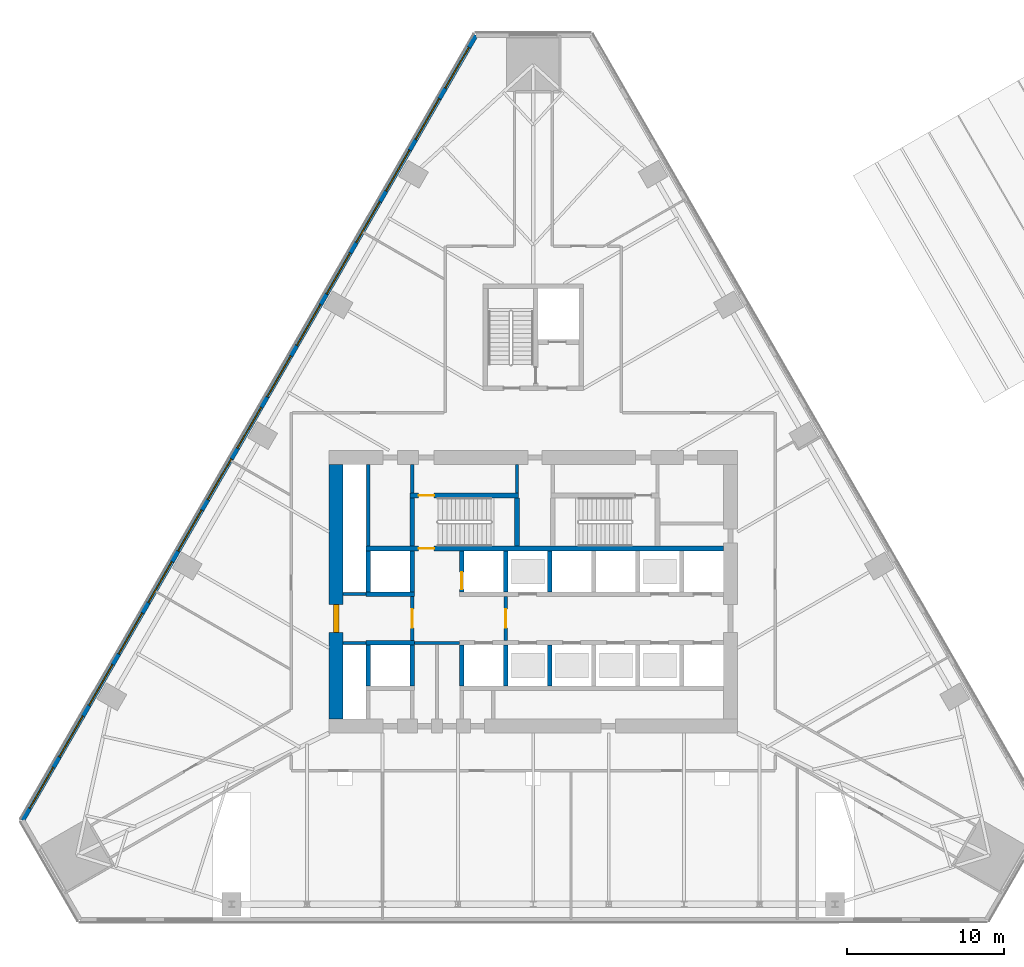
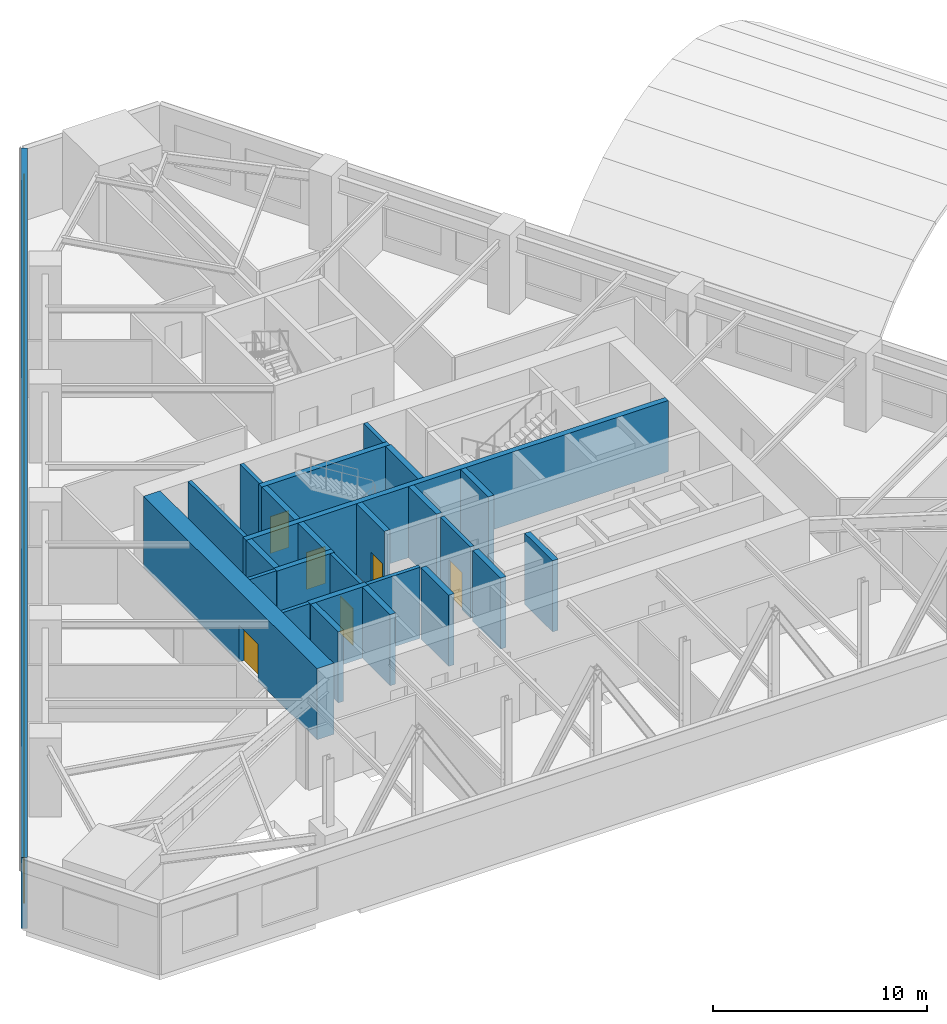
# One storey, part 6 of 11: 26 walls, 15 windows, 6 doors, 21 openings.
"""IFC4 building model written with IfcOpenShell, lengths in metres."""

from ifc_helpers import new_model, si_unit, direction, frame, frame_2d, origin, place, context, subcontext, project, spatial, rectangle, extrude, material, layer, layer_set, type_object, element, fill, save


model = new_model("IFC4")

# Units and contexts
model_context = context("Model", 3, precision=1e-05, world=origin(), true_north=direction((0.0, 1.0)))
body_context = subcontext(model_context, "Body", "Model", "MODEL_VIEW")
ifc_project = project(units=[si_unit("LENGTHUNIT", "METRE"), si_unit("AREAUNIT", "SQUARE_METRE"), si_unit("VOLUMEUNIT", "CUBIC_METRE"), si_unit("PLANEANGLEUNIT", "RADIAN"), si_unit("MASSUNIT", "GRAM", prefix="KILO")], contexts=[model_context])

# Site, building, storey
site_placement = place(None, origin())
site = spatial("IfcSite", under=ifc_project, at=site_placement, CompositionType="ELEMENT")
building_placement = place(site_placement, origin())
building = spatial("IfcBuilding", under=site, at=building_placement, Name="Firuza Gate Tower and Library", CompositionType="ELEMENT")
storey_placement = place(building_placement, frame((0.0, 0.0, 31.0)))
storey = spatial("IfcBuildingStorey", under=building, at=storey_placement, Name="L06", CompositionType="ELEMENT", Elevation=31.0)

# Walls
ifc_material_1 = material(Name="Plasterboard on steel studs", Category="steel")
ifc_layer_1 = layer(ifc_material_1, 0.199951171875)
ifc_layer_set_1 = layer_set([ifc_layer_1], Name="Core partition 200 EI 120")
wall_type_1 = type_object("IfcWallType", Name="Core partition 200 EI 120", PredefinedType="PARTITIONING", material=ifc_layer_set_1)
wall_1_placement = place(storey_placement, frame((62.89990234375, 71.75, 0.0), z_axis=(0.0, 0.0, 1.0), x_axis=(1.0, 0.0, 0.0)))
element("IfcWall", 1, at=wall_1_placement, inside=storey, type_object=wall_type_1, Name="Core partition L06 1", PredefinedType="PARTITIONING", context=body_context, shape_type="SweptSolid", body=[
    extrude(rectangle(XDim=1.4501953125, YDim=0.199951171875, at=frame_2d((0.72509765625, 0.0))), origin(), (0.0, 0.0, 1.0), 4.050048828125),
])
wall_2_placement = place(storey_placement, frame((67.449951171875, 71.75, 0.0), z_axis=(0.0, 0.0, 1.0), x_axis=(1.0, 0.0, 0.0)))
element("IfcWall", 2, at=wall_2_placement, inside=storey, type_object=wall_type_1, Name="Core partition L06 2", PredefinedType="PARTITIONING", context=body_context, shape_type="SweptSolid", body=[
    extrude(rectangle(XDim=2.85009765625, YDim=0.199951171875, at=frame_2d((1.425048828125, 0.0))), origin(), (0.0, 0.0, 1.0), 4.050048828125),
])
wall_3_placement = place(storey_placement, frame((62.89990234375, 74.85009765625, 0.0), z_axis=(0.0, 0.0, 1.0), x_axis=(1.0, 0.0, 0.0)))
element("IfcWall", 3, at=wall_3_placement, inside=storey, type_object=wall_type_1, Name="Core partition L06 3", PredefinedType="PARTITIONING", context=body_context, shape_type="SweptSolid", body=[
    extrude(rectangle(XDim=1.4501953125, YDim=0.199951171875, at=frame_2d((0.72509765625, 0.0))), origin(), (0.0, 0.0, 1.0), 4.050048828125),
])
wall_4_placement = place(storey_placement, frame((64.5, 77.89990234375, 0.0), z_axis=(0.0, 0.0, 1.0), x_axis=(0.0, 1.0, 0.0)))
element("IfcWall", 4, at=wall_4_placement, inside=storey, type_object=wall_type_1, Name="Core partition L06 6", PredefinedType="PARTITIONING", context=body_context, shape_type="SweptSolid", body=[
    extrude(rectangle(XDim=5.2001953125, YDim=0.199951171875, at=frame_2d((2.60009765625, 0.0))), origin(), (0.0, 0.0, 1.0), 4.050048828125),
])
for number, where, z_axis, x_axis, name in (
    (5, (67.300048828125, 81.280029296875, 0.0), (0.0, 0.0, 1.0), (0.0, 1.0, 0.0), "Core partition L06 9"),
    (6, (73.9599609375, 81.280029296875, 0.0), (0.0, 0.0, 1.0), (0.0, 1.0, 0.0), "Core partition L06 14"),
):
    element("IfcWall", number, at=place(storey_placement, frame(where, z_axis=z_axis, x_axis=x_axis)), inside=storey, type_object=wall_type_1, Name=name, PredefinedType="PARTITIONING", context=body_context, shape_type="SweptSolid", body=[
        extrude(rectangle(XDim=1.820068359375, YDim=0.199951171875, at=frame_2d((0.91015625, 0.0))), origin(), (0.0, 0.0, 1.0), 4.050048828125),
    ])

# Wall, opening, door
ifc_material_2 = material(Name="Plasterboard on steel studs", Category="steel")
ifc_layer_2 = layer(ifc_material_2, 0.199951171875)
ifc_layer_set_2 = layer_set([ifc_layer_2], Name="Core partition 200 EI 60")
wall_type_2 = type_object("IfcWallType", Name="Core partition 200 EI 60", PredefinedType="PARTITIONING", material=ifc_layer_set_2)
wall_5_placement = place(storey_placement, frame((67.300048828125, 71.89990234375, 0.0), z_axis=(0.0, 0.0, 1.0), x_axis=(0.0, 1.0, 0.0)))
wall_5 = element("IfcWall", 7, at=wall_5_placement, inside=storey, type_object=wall_type_2, Name="Core partition L06 8", PredefinedType="PARTITIONING", context=body_context, shape_type="SweptSolid", body=[
    extrude(rectangle(XDim=2.800048828125, YDim=0.199951171875, at=frame_2d((1.39990234375, 0.0))), origin(), (0.0, 0.0, 1.0), 4.050048828125),
])
opening_1_placement = place(wall_5_placement, frame((0.800048828125, 0.0, 0.0)))
opening_1 = element("IfcOpeningElement", 8, at=opening_1_placement, cuts=wall_5, Name="Opening L06-K21", PredefinedType="OPENING", context=body_context, shape_type="SweptSolid", body=[
    extrude(rectangle(XDim=1.199951171875, YDim=2.10009765625, at=frame_2d((0.60009765625, 1.050048828125))), frame((0.0, 0.10986328125, 0.0), z_axis=(0.0, -1.0, 0.0), x_axis=(1.0, 0.0, 0.0)), (0.0, 0.0, 1.0), 0.219970703125),
])
ifc_material_3 = material(Name="Steel", Category="steel")
door_type_1 = type_object("IfcDoorType", Name="Fire door 1200x2100 FD90S", OperationType="NOTDEFINED", PredefinedType="DOOR", material=ifc_material_3)
door_1_placement = place(opening_1_placement, origin())
door_1 = element("IfcDoor", 9, at=door_1_placement, inside=storey, type_object=door_type_1, Name="Door L06-K21", OperationType="SINGLE_SWING_RIGHT", OverallHeight=2.10009765625, OverallWidth=1.199951171875, PredefinedType="DOOR", context=body_context, shape_type="SweptSolid", body=[
    extrude(rectangle(XDim=1.199951171875, YDim=2.10009765625, at=frame_2d((0.60009765625, 1.050048828125))), frame((0.0, 0.02490234375, 0.0), z_axis=(0.0, -1.0, 0.0), x_axis=(1.0, 0.0, 0.0)), (0.0, 0.0, 1.0), 0.050048828125),
])
fill(opening_1, door_1)

wall_6_placement = place(storey_placement, frame((73.25, 71.89990234375, 0.0), z_axis=(0.0, 0.0, 1.0), x_axis=(0.0, 1.0, 0.0)))
wall_6 = element("IfcWall", 10, at=wall_6_placement, inside=storey, type_object=wall_type_2, Name="Core partition L06 13", PredefinedType="PARTITIONING", context=body_context, shape_type="SweptSolid", body=[
    extrude(rectangle(XDim=2.800048828125, YDim=0.199951171875, at=frame_2d((1.39990234375, 0.0))), origin(), (0.0, 0.0, 1.0), 4.050048828125),
])
opening_2_placement = place(wall_6_placement, frame((0.800048828125, 0.0, 0.0)))
opening_2 = element("IfcOpeningElement", 11, at=opening_2_placement, cuts=wall_6, Name="Opening L06-K20", PredefinedType="OPENING", context=body_context, shape_type="SweptSolid", body=[
    extrude(rectangle(XDim=1.199951171875, YDim=2.10009765625, at=frame_2d((0.60009765625, 1.050048828125))), frame((0.0, 0.10986328125, 0.0), z_axis=(0.0, -1.0, 0.0), x_axis=(1.0, 0.0, 0.0)), (0.0, 0.0, 1.0), 0.219970703125),
])
door_2_placement = place(opening_2_placement, origin())
door_2 = element("IfcDoor", 12, at=door_2_placement, inside=storey, type_object=door_type_1, Name="Door L06-K20", OperationType="SINGLE_SWING_LEFT", OverallHeight=2.10009765625, OverallWidth=1.199951171875, PredefinedType="DOOR", context=body_context, shape_type="SweptSolid", body=[
    extrude(rectangle(XDim=1.199951171875, YDim=2.10009765625, at=frame_2d((0.60009765625, 1.050048828125))), frame((0.0, 0.02490234375, 0.0), z_axis=(0.0, -1.0, 0.0), x_axis=(1.0, 0.0, 0.0)), (0.0, 0.0, 1.0), 0.050048828125),
])
fill(opening_2, door_2)

# Walls
ifc_material_4 = material(Name="Concrete C80/95", Category="concrete")
ifc_layer_3 = layer(ifc_material_4, 0.300048828125)
ifc_layer_set_3 = layer_set([ifc_layer_3], Name="Core wall 300 C80/95")
wall_type_3 = type_object("IfcWallType", Name="Core wall 300 C80/95", PredefinedType="SHEAR", material=ifc_layer_set_3)
for number, where, z_axis, x_axis, name in (
    (13, (64.35009765625, 71.75, 0.0), (0.0, 0.0, 1.0), (1.0, 0.0, 0.0), "Core wall L06 7"),
    (14, (64.35009765625, 74.85009765625, 0.0), (0.0, 0.0, 1.0), (1.0, 0.0, 0.0), "Core wall L06 9"),
):
    element("IfcWall", number, at=place(storey_placement, frame(where, z_axis=z_axis, x_axis=x_axis)), inside=storey, type_object=wall_type_3, Name=name, PredefinedType="SHEAR", context=body_context, shape_type="SweptSolid", body=[
        extrude(rectangle(XDim=3.099853515625, YDim=0.300048828125, at=frame_2d((1.5498046875, 0.0))), origin(), (0.0, 0.0, 1.0), 4.050048828125),
    ])
for number, where, z_axis, x_axis, name in (
    (15, (64.5, 69.0, 0.0), (0.0, 0.0, 1.0), (0.0, 1.0, 0.0), "Core wall L06 11"),
    (16, (64.5, 75.0, 0.0), (0.0, 0.0, 1.0), (0.0, 1.0, 0.0), "Core wall L06 12"),
    (17, (67.300048828125, 69.0, 0.0), (0.0, 0.0, 1.0), (0.0, 1.0, 0.0), "Core wall L06 13"),
    (18, (67.300048828125, 75.0, 0.0), (0.0, 0.0, 1.0), (0.0, 1.0, 0.0), "Core wall L06 14"),
    (19, (70.449951171875, 69.0, 0.0), (0.0, 0.0, 1.0), (0.0, 1.0, 0.0), "Core wall L06 15"),
):
    element("IfcWall", number, at=place(storey_placement, frame(where, z_axis=z_axis, x_axis=x_axis)), inside=storey, type_object=wall_type_3, Name=name, PredefinedType="SHEAR", context=body_context, shape_type="SweptSolid", body=[
        extrude(rectangle(XDim=2.60009765625, YDim=0.300048828125, at=frame_2d((1.300048828125, 0.0))), origin(), (0.0, 0.0, 1.0), 4.050048828125),
    ])

# Wall, opening, door
wall_7_placement = place(storey_placement, frame((70.449951171875, 75.0, 0.0), z_axis=(0.0, 0.0, 1.0), x_axis=(0.0, 1.0, 0.0)))
wall_7 = element("IfcWall", 20, at=wall_7_placement, inside=storey, type_object=wall_type_3, Name="Core wall L06 16", PredefinedType="SHEAR", context=body_context, shape_type="SweptSolid", body=[
    extrude(rectangle(XDim=2.60009765625, YDim=0.300048828125, at=frame_2d((1.300048828125, 0.0))), origin(), (0.0, 0.0, 1.0), 4.050048828125),
])
opening_3_placement = place(wall_7_placement, frame((0.14990234375, 0.0, 0.0)))
opening_3 = element("IfcOpeningElement", 21, at=opening_3_placement, cuts=wall_7, Name="Opening LD-FF2-L06", PredefinedType="OPENING", context=body_context, shape_type="SweptSolid", body=[
    extrude(rectangle(XDim=1.10009765625, YDim=2.10009765625, at=frame_2d((0.550048828125, 1.050048828125))), frame((0.0, 0.16015625, 0.0), z_axis=(0.0, -1.0, 0.0), x_axis=(1.0, 0.0, 0.0)), (0.0, 0.0, 1.0), 0.320068359375),
])
ifc_material_5 = material(Name="Stainless steel", Category="steel")
door_type_2 = type_object("IfcDoorType", Name="Lift landing door 1100x2100", OperationType="DOUBLE_DOOR_SLIDING", PredefinedType="DOOR", material=ifc_material_5)
door_3_placement = place(opening_3_placement, origin())
door_3 = element("IfcDoor", 22, at=door_3_placement, inside=storey, type_object=door_type_2, Name="Landing door FF2 L06", OperationType="DOUBLE_DOOR_SLIDING", OverallHeight=2.10009765625, OverallWidth=1.10009765625, PredefinedType="DOOR", context=body_context, shape_type="SweptSolid", body=[
    extrude(rectangle(XDim=1.10009765625, YDim=2.10009765625, at=frame_2d((0.550048828125, 1.050048828125))), frame((0.0, 0.02490234375, 0.0), z_axis=(0.0, -1.0, 0.0), x_axis=(1.0, 0.0, 0.0)), (0.0, 0.0, 1.0), 0.050048828125),
])
fill(opening_3, door_3)

# Walls
for number, where, z_axis, x_axis, name in (
    (23, (73.25, 69.0, 0.0), (0.0, 0.0, 1.0), (0.0, 1.0, 0.0), "Core wall L06 17"),
    (24, (73.25, 75.0, 0.0), (0.0, 0.0, 1.0), (0.0, 1.0, 0.0), "Core wall L06 18"),
    (25, (76.050048828125, 69.0, 0.0), (0.0, 0.0, 1.0), (0.0, 1.0, 0.0), "Core wall L06 19"),
    (26, (76.050048828125, 75.0, 0.0), (0.0, 0.0, 1.0), (0.0, 1.0, 0.0), "Core wall L06 20"),
):
    element("IfcWall", number, at=place(storey_placement, frame(where, z_axis=z_axis, x_axis=x_axis)), inside=storey, type_object=wall_type_3, Name=name, PredefinedType="SHEAR", context=body_context, shape_type="SweptSolid", body=[
        extrude(rectangle(XDim=2.60009765625, YDim=0.300048828125, at=frame_2d((1.300048828125, 0.0))), origin(), (0.0, 0.0, 1.0), 4.050048828125),
    ])

# Wall, opening, door
wall_8_placement = place(storey_placement, frame((64.35009765625, 77.75, 0.0), z_axis=(0.0, 0.0, 1.0), x_axis=(1.0, 0.0, 0.0)))
wall_8 = element("IfcWall", 27, at=wall_8_placement, inside=storey, type_object=wall_type_3, Name="Core wall L06 27", PredefinedType="SHEAR", context=body_context, shape_type="SweptSolid", body=[
    extrude(rectangle(XDim=22.75, YDim=0.300048828125, at=frame_2d((11.375, 0.0))), origin(), (0.0, 0.0, 1.0), 4.050048828125),
])
opening_4_placement = place(wall_8_placement, frame((3.344970703125, 0.0, 0.0)))
opening_4 = element("IfcOpeningElement", 28, at=opening_4_placement, cuts=wall_8, Name="Opening L06-K12", PredefinedType="OPENING", context=body_context, shape_type="SweptSolid", body=[
    extrude(rectangle(XDim=1.0, YDim=2.10009765625, at=frame_2d((0.5, 1.050048828125))), frame((0.0, 0.16015625, 0.0), z_axis=(0.0, -1.0, 0.0), x_axis=(1.0, 0.0, 0.0)), (0.0, 0.0, 1.0), 0.320068359375),
])
ifc_material_6 = material(Name="Steel", Category="steel")
door_type_3 = type_object("IfcDoorType", Name="Fire door 1000x2100 FD90", OperationType="NOTDEFINED", PredefinedType="DOOR", material=ifc_material_6)
door_4_placement = place(opening_4_placement, origin())
door_4 = element("IfcDoor", 29, at=door_4_placement, inside=storey, type_object=door_type_3, Name="Door L06-K12", OperationType="SINGLE_SWING_LEFT", OverallHeight=2.10009765625, OverallWidth=1.0, PredefinedType="DOOR", context=body_context, shape_type="SweptSolid", body=[
    extrude(rectangle(XDim=1.0, YDim=2.10009765625, at=frame_2d((0.5, 1.050048828125))), frame((0.0, 0.02490234375, 0.0), z_axis=(0.0, -1.0, 0.0), x_axis=(1.0, 0.0, 0.0)), (0.0, 0.0, 1.0), 0.050048828125),
])
fill(opening_4, door_4)

wall_9_placement = place(storey_placement, frame((67.14990234375, 81.1298828125, 0.0), z_axis=(0.0, 0.0, 1.0), x_axis=(1.0, 0.0, 0.0)))
wall_9 = element("IfcWall", 30, at=wall_9_placement, inside=storey, type_object=wall_type_3, Name="Core wall L06 28", PredefinedType="SHEAR", context=body_context, shape_type="SweptSolid", body=[
    extrude(rectangle(XDim=6.91015625, YDim=0.300048828125, at=frame_2d((3.455078125, 0.0))), origin(), (0.0, 0.0, 1.0), 4.050048828125),
])
opening_5_placement = place(wall_9_placement, frame((0.544921875, 0.0, 0.0)))
opening_5 = element("IfcOpeningElement", 31, at=opening_5_placement, cuts=wall_9, Name="Opening L06-K13", PredefinedType="OPENING", context=body_context, shape_type="SweptSolid", body=[
    extrude(rectangle(XDim=1.0, YDim=2.10009765625, at=frame_2d((0.5, 1.050048828125))), frame((0.0, 0.16015625, 0.0), z_axis=(0.0, -1.0, 0.0), x_axis=(1.0, 0.0, 0.0)), (0.0, 0.0, 1.0), 0.320068359375),
])
door_5_placement = place(opening_5_placement, origin())
door_5 = element("IfcDoor", 32, at=door_5_placement, inside=storey, type_object=door_type_3, Name="Door L06-K13", OperationType="SINGLE_SWING_RIGHT", OverallHeight=2.10009765625, OverallWidth=1.0, PredefinedType="DOOR", context=body_context, shape_type="SweptSolid", body=[
    extrude(rectangle(XDim=1.0, YDim=2.10009765625, at=frame_2d((0.5, 1.050048828125))), frame((0.0, 0.02490234375, 0.0), z_axis=(0.0, -1.0, 0.0), x_axis=(1.0, 0.0, 0.0)), (0.0, 0.0, 1.0), 0.050048828125),
])
fill(opening_5, door_5)

# Walls
for number, where, z_axis, x_axis, name in (
    (33, (67.300048828125, 77.89990234375, 0.0), (0.0, 0.0, 1.0), (0.0, 1.0, 0.0), "Core wall L06 30"),
    (34, (73.9599609375, 77.89990234375, 0.0), (0.0, 0.0, 1.0), (0.0, 1.0, 0.0), "Core wall L06 31"),
):
    element("IfcWall", number, at=place(storey_placement, frame(where, z_axis=z_axis, x_axis=x_axis)), inside=storey, type_object=wall_type_3, Name=name, PredefinedType="SHEAR", context=body_context, shape_type="SweptSolid", body=[
        extrude(rectangle(XDim=3.080078125, YDim=0.300048828125, at=frame_2d((1.5400390625, 0.0))), origin(), (0.0, 0.0, 1.0), 4.050048828125),
    ])

# Wall, opening, door
ifc_material_7 = material(Name="Concrete C80/95", Category="concrete")
ifc_layer_4 = layer(ifc_material_7, 0.89990234375)
ifc_layer_set_4 = layer_set([ifc_layer_4], Name="Core wall 900 C80/95")
wall_type_4 = type_object("IfcWallType", Name="Core wall 900 C80/95", PredefinedType="SHEAR", material=ifc_layer_set_4)
wall_10_placement = place(storey_placement, frame((62.449951171875, 66.89990234375, 0.0), z_axis=(0.0, 0.0, 1.0), x_axis=(0.0, 1.0, 0.0)))
wall_10 = element("IfcWall", 35, at=wall_10_placement, inside=storey, type_object=wall_type_4, Name="Core wall L06 3", PredefinedType="SHEAR", context=body_context, shape_type="SweptSolid", body=[
    extrude(rectangle(XDim=16.2001953125, YDim=0.89990234375, at=frame_2d((8.10009765625, 0.0))), origin(), (0.0, 0.0, 1.0), 4.050048828125),
])
opening_6_placement = place(wall_10_placement, frame((5.5, 0.0, 0.0)))
opening_6 = element("IfcOpeningElement", 36, at=opening_6_placement, cuts=wall_10, Name="Opening L06-K22", PredefinedType="OPENING", context=body_context, shape_type="SweptSolid", body=[
    extrude(rectangle(XDim=1.800048828125, YDim=2.10009765625, at=frame_2d((0.89990234375, 1.050048828125))), frame((0.0, 0.4599609375, 0.0), z_axis=(0.0, -1.0, 0.0), x_axis=(1.0, 0.0, 0.0)), (0.0, 0.0, 1.0), 0.919921875),
])
ifc_material_8 = material(Name="Steel", Category="steel")
door_type_4 = type_object("IfcDoorType", Name="Fire door 1800x2100 FD30S", OperationType="NOTDEFINED", PredefinedType="DOOR", material=ifc_material_8)
door_6_placement = place(opening_6_placement, origin())
door_6 = element("IfcDoor", 37, at=door_6_placement, inside=storey, type_object=door_type_4, Name="Door L06-K22", OperationType="SINGLE_SWING_LEFT", OverallHeight=2.10009765625, OverallWidth=1.800048828125, PredefinedType="DOOR", context=body_context, shape_type="SweptSolid", body=[
    extrude(rectangle(XDim=1.800048828125, YDim=2.10009765625, at=frame_2d((0.89990234375, 1.050048828125))), frame((0.0, 0.169921875, 0.0), z_axis=(0.0, -1.0, 0.0), x_axis=(1.0, 0.0, 0.0)), (0.0, 0.0, 1.0), 0.33984375),
])
fill(opening_6, door_6)

# Wall, openings, windows
ifc_material_9 = material(Name="Concrete C40/50", Category="concrete")
ifc_layer_5 = layer(ifc_material_9, 0.300048828125)
ifc_layer_set_5 = layer_set([ifc_layer_5], Name="Plant louvre wall 300")
wall_type_5 = type_object("IfcWallType", Name="Plant louvre wall 300", PredefinedType="SOLIDWALL", material=ifc_layer_set_5)
wall_11_placement = place(storey_placement, frame((71.34814453125, 110.423828125, 0.0), z_axis=(0.0, 0.0, 1.0), x_axis=(-0.500000550228, -0.86602508611, 0.0)))
wall_11 = element("IfcWall", 38, at=wall_11_placement, inside=storey, type_object=wall_type_5, Name="Plant louvre wall 5", PredefinedType="SOLIDWALL", context=body_context, shape_type="SweptSolid", body=[
    extrude(rectangle(XDim=57.7041015625, YDim=0.300048828125, at=frame_2d((28.85205078125, 0.0))), origin(), (0.0, 0.0, 1.0), 4.050048828125),
])
opening_7_placement = place(wall_11_placement, frame((0.89013671875, 0.0, 0.800048828125)))
opening_7 = element("IfcOpeningElement", 39, at=opening_7_placement, cuts=wall_11, Name="Opening WD3-022", PredefinedType="OPENING", context=body_context, shape_type="SweptSolid", body=[
    extrude(rectangle(XDim=3.0, YDim=2.39990234375, at=frame_2d((1.5, 1.199951171875))), frame((0.0, 0.16015625, 0.0), z_axis=(0.0, -1.0, 0.0), x_axis=(1.0, 0.0, 0.0)), (0.0, 0.0, 1.0), 0.320068359375),
])
opening_8_placement = place(wall_11_placement, frame((4.67041015625, 0.0, 0.800048828125)))
opening_8 = element("IfcOpeningElement", 40, at=opening_8_placement, cuts=wall_11, Name="Opening WD3-023", PredefinedType="OPENING", context=body_context, shape_type="SweptSolid", body=[
    extrude(rectangle(XDim=3.0, YDim=2.39990234375, at=frame_2d((1.5, 1.199951171875))), frame((0.0, 0.16015625, 0.0), z_axis=(0.0, -1.0, 0.0), x_axis=(1.0, 0.0, 0.0)), (0.0, 0.0, 1.0), 0.320068359375),
])
opening_9_placement = place(wall_11_placement, frame((8.45068359375, 0.0, 0.800048828125)))
opening_9 = element("IfcOpeningElement", 41, at=opening_9_placement, cuts=wall_11, Name="Opening WD3-024", PredefinedType="OPENING", context=body_context, shape_type="SweptSolid", body=[
    extrude(rectangle(XDim=3.0, YDim=2.39990234375, at=frame_2d((1.5, 1.199951171875))), frame((0.0, 0.16015625, 0.0), z_axis=(0.0, -1.0, 0.0), x_axis=(1.0, 0.0, 0.0)), (0.0, 0.0, 1.0), 0.320068359375),
])
opening_10_placement = place(wall_11_placement, frame((12.23095703125, 0.0, 0.800048828125)))
opening_10 = element("IfcOpeningElement", 42, at=opening_10_placement, cuts=wall_11, Name="Opening WD3-025", PredefinedType="OPENING", context=body_context, shape_type="SweptSolid", body=[
    extrude(rectangle(XDim=3.0, YDim=2.39990234375, at=frame_2d((1.5, 1.199951171875))), frame((0.0, 0.16015625, 0.0), z_axis=(0.0, -1.0, 0.0), x_axis=(1.0, 0.0, 0.0)), (0.0, 0.0, 1.0), 0.320068359375),
])
opening_11_placement = place(wall_11_placement, frame((16.01123046875, 0.0, 0.800048828125)))
opening_11 = element("IfcOpeningElement", 43, at=opening_11_placement, cuts=wall_11, Name="Opening WD3-026", PredefinedType="OPENING", context=body_context, shape_type="SweptSolid", body=[
    extrude(rectangle(XDim=3.0, YDim=2.39990234375, at=frame_2d((1.5, 1.199951171875))), frame((0.0, 0.16015625, 0.0), z_axis=(0.0, -1.0, 0.0), x_axis=(1.0, 0.0, 0.0)), (0.0, 0.0, 1.0), 0.320068359375),
])
opening_12_placement = place(wall_11_placement, frame((19.79150390625, 0.0, 0.800048828125)))
opening_12 = element("IfcOpeningElement", 44, at=opening_12_placement, cuts=wall_11, Name="Opening WD3-027", PredefinedType="OPENING", context=body_context, shape_type="SweptSolid", body=[
    extrude(rectangle(XDim=3.0, YDim=2.39990234375, at=frame_2d((1.5, 1.199951171875))), frame((0.0, 0.16015625, 0.0), z_axis=(0.0, -1.0, 0.0), x_axis=(1.0, 0.0, 0.0)), (0.0, 0.0, 1.0), 0.320068359375),
])
opening_13_placement = place(wall_11_placement, frame((23.57177734375, 0.0, 0.800048828125)))
opening_13 = element("IfcOpeningElement", 45, at=opening_13_placement, cuts=wall_11, Name="Opening WD3-028", PredefinedType="OPENING", context=body_context, shape_type="SweptSolid", body=[
    extrude(rectangle(XDim=3.0, YDim=2.39990234375, at=frame_2d((1.5, 1.199951171875))), frame((0.0, 0.16015625, 0.0), z_axis=(0.0, -1.0, 0.0), x_axis=(1.0, 0.0, 0.0)), (0.0, 0.0, 1.0), 0.320068359375),
])
opening_14_placement = place(wall_11_placement, frame((27.35205078125, 0.0, 0.800048828125)))
opening_14 = element("IfcOpeningElement", 46, at=opening_14_placement, cuts=wall_11, Name="Opening WD3-029", PredefinedType="OPENING", context=body_context, shape_type="SweptSolid", body=[
    extrude(rectangle(XDim=3.0, YDim=2.39990234375, at=frame_2d((1.5, 1.199951171875))), frame((0.0, 0.16015625, 0.0), z_axis=(0.0, -1.0, 0.0), x_axis=(1.0, 0.0, 0.0)), (0.0, 0.0, 1.0), 0.320068359375),
])
opening_15_placement = place(wall_11_placement, frame((31.13232421875, 0.0, 0.800048828125)))
opening_15 = element("IfcOpeningElement", 47, at=opening_15_placement, cuts=wall_11, Name="Opening WD3-030", PredefinedType="OPENING", context=body_context, shape_type="SweptSolid", body=[
    extrude(rectangle(XDim=3.0, YDim=2.39990234375, at=frame_2d((1.5, 1.199951171875))), frame((0.0, 0.16015625, 0.0), z_axis=(0.0, -1.0, 0.0), x_axis=(1.0, 0.0, 0.0)), (0.0, 0.0, 1.0), 0.320068359375),
])
opening_16_placement = place(wall_11_placement, frame((34.91259765625, 0.0, 0.800048828125)))
opening_16 = element("IfcOpeningElement", 48, at=opening_16_placement, cuts=wall_11, Name="Opening WD3-031", PredefinedType="OPENING", context=body_context, shape_type="SweptSolid", body=[
    extrude(rectangle(XDim=3.0, YDim=2.39990234375, at=frame_2d((1.5, 1.199951171875))), frame((0.0, 0.16015625, 0.0), z_axis=(0.0, -1.0, 0.0), x_axis=(1.0, 0.0, 0.0)), (0.0, 0.0, 1.0), 0.320068359375),
])
opening_17_placement = place(wall_11_placement, frame((38.692626953125, 0.0, 0.800048828125)))
opening_17 = element("IfcOpeningElement", 49, at=opening_17_placement, cuts=wall_11, Name="Opening WD3-032", PredefinedType="OPENING", context=body_context, shape_type="SweptSolid", body=[
    extrude(rectangle(XDim=3.0, YDim=2.39990234375, at=frame_2d((1.5, 1.199951171875))), frame((0.0, 0.16015625, 0.0), z_axis=(0.0, -1.0, 0.0), x_axis=(1.0, 0.0, 0.0)), (0.0, 0.0, 1.0), 0.320068359375),
])
opening_18_placement = place(wall_11_placement, frame((42.472900390625, 0.0, 0.800048828125)))
opening_18 = element("IfcOpeningElement", 50, at=opening_18_placement, cuts=wall_11, Name="Opening WD3-033", PredefinedType="OPENING", context=body_context, shape_type="SweptSolid", body=[
    extrude(rectangle(XDim=3.0, YDim=2.39990234375, at=frame_2d((1.5, 1.199951171875))), frame((0.0, 0.16015625, 0.0), z_axis=(0.0, -1.0, 0.0), x_axis=(1.0, 0.0, 0.0)), (0.0, 0.0, 1.0), 0.320068359375),
])
opening_19_placement = place(wall_11_placement, frame((46.253173828125, 0.0, 0.800048828125)))
opening_19 = element("IfcOpeningElement", 51, at=opening_19_placement, cuts=wall_11, Name="Opening WD3-034", PredefinedType="OPENING", context=body_context, shape_type="SweptSolid", body=[
    extrude(rectangle(XDim=3.0, YDim=2.39990234375, at=frame_2d((1.5, 1.199951171875))), frame((0.0, 0.16015625, 0.0), z_axis=(0.0, -1.0, 0.0), x_axis=(1.0, 0.0, 0.0)), (0.0, 0.0, 1.0), 0.320068359375),
])
opening_20_placement = place(wall_11_placement, frame((50.033447265625, 0.0, 0.800048828125)))
opening_20 = element("IfcOpeningElement", 52, at=opening_20_placement, cuts=wall_11, Name="Opening WD3-035", PredefinedType="OPENING", context=body_context, shape_type="SweptSolid", body=[
    extrude(rectangle(XDim=3.0, YDim=2.39990234375, at=frame_2d((1.5, 1.199951171875))), frame((0.0, 0.16015625, 0.0), z_axis=(0.0, -1.0, 0.0), x_axis=(1.0, 0.0, 0.0)), (0.0, 0.0, 1.0), 0.320068359375),
])
opening_21_placement = place(wall_11_placement, frame((53.813720703125, 0.0, 0.800048828125)))
opening_21 = element("IfcOpeningElement", 53, at=opening_21_placement, cuts=wall_11, Name="Opening WD3-036", PredefinedType="OPENING", context=body_context, shape_type="SweptSolid", body=[
    extrude(rectangle(XDim=3.0, YDim=2.39990234375, at=frame_2d((1.5, 1.199951171875))), frame((0.0, 0.16015625, 0.0), z_axis=(0.0, -1.0, 0.0), x_axis=(1.0, 0.0, 0.0)), (0.0, 0.0, 1.0), 0.320068359375),
])
ifc_material_10 = material(Name="Aluminium 6063-T6", Category="aluminium")
window_type = type_object("IfcWindowType", Name="Plant louvre 3000x2400", PartitioningType="SINGLE_PANEL", PredefinedType="WINDOW", material=ifc_material_10)
window_1_placement = place(opening_7_placement, origin())
window_1 = element("IfcWindow", 54, at=window_1_placement, inside=storey, type_object=window_type, Name="e:pwall:L06:4/L0", OverallHeight=2.39990234375, OverallWidth=3.0, PartitioningType="SINGLE_PANEL", PredefinedType="WINDOW", context=body_context, shape_type="SweptSolid", body=[
    extrude(rectangle(XDim=3.0, YDim=2.39990234375, at=frame_2d((1.5, 1.199951171875))), frame((0.0, 0.030029296875, 0.0), z_axis=(0.0, -1.0, 0.0), x_axis=(1.0, 0.0, 0.0)), (0.0, 0.0, 1.0), 0.06005859375),
])
fill(opening_7, window_1)
window_2_placement = place(opening_8_placement, origin())
window_2 = element("IfcWindow", 55, at=window_2_placement, inside=storey, type_object=window_type, Name="e:pwall:L06:4/L1", OverallHeight=2.39990234375, OverallWidth=3.0, PartitioningType="SINGLE_PANEL", PredefinedType="WINDOW", context=body_context, shape_type="SweptSolid", body=[
    extrude(rectangle(XDim=3.0, YDim=2.39990234375, at=frame_2d((1.5, 1.199951171875))), frame((0.0, 0.030029296875, 0.0), z_axis=(0.0, -1.0, 0.0), x_axis=(1.0, 0.0, 0.0)), (0.0, 0.0, 1.0), 0.06005859375),
])
fill(opening_8, window_2)
window_3_placement = place(opening_9_placement, origin())
window_3 = element("IfcWindow", 56, at=window_3_placement, inside=storey, type_object=window_type, Name="e:pwall:L06:4/L2", OverallHeight=2.39990234375, OverallWidth=3.0, PartitioningType="SINGLE_PANEL", PredefinedType="WINDOW", context=body_context, shape_type="SweptSolid", body=[
    extrude(rectangle(XDim=3.0, YDim=2.39990234375, at=frame_2d((1.5, 1.199951171875))), frame((0.0, 0.030029296875, 0.0), z_axis=(0.0, -1.0, 0.0), x_axis=(1.0, 0.0, 0.0)), (0.0, 0.0, 1.0), 0.06005859375),
])
fill(opening_9, window_3)
window_4_placement = place(opening_10_placement, origin())
window_4 = element("IfcWindow", 57, at=window_4_placement, inside=storey, type_object=window_type, Name="e:pwall:L06:4/L3", OverallHeight=2.39990234375, OverallWidth=3.0, PartitioningType="SINGLE_PANEL", PredefinedType="WINDOW", context=body_context, shape_type="SweptSolid", body=[
    extrude(rectangle(XDim=3.0, YDim=2.39990234375, at=frame_2d((1.5, 1.199951171875))), frame((0.0, 0.030029296875, 0.0), z_axis=(0.0, -1.0, 0.0), x_axis=(1.0, 0.0, 0.0)), (0.0, 0.0, 1.0), 0.06005859375),
])
fill(opening_10, window_4)
window_5_placement = place(opening_11_placement, origin())
window_5 = element("IfcWindow", 58, at=window_5_placement, inside=storey, type_object=window_type, Name="e:pwall:L06:4/L4", OverallHeight=2.39990234375, OverallWidth=3.0, PartitioningType="SINGLE_PANEL", PredefinedType="WINDOW", context=body_context, shape_type="SweptSolid", body=[
    extrude(rectangle(XDim=3.0, YDim=2.39990234375, at=frame_2d((1.5, 1.199951171875))), frame((0.0, 0.030029296875, 0.0), z_axis=(0.0, -1.0, 0.0), x_axis=(1.0, 0.0, 0.0)), (0.0, 0.0, 1.0), 0.06005859375),
])
fill(opening_11, window_5)
window_6_placement = place(opening_12_placement, origin())
window_6 = element("IfcWindow", 59, at=window_6_placement, inside=storey, type_object=window_type, Name="e:pwall:L06:4/L5", OverallHeight=2.39990234375, OverallWidth=3.0, PartitioningType="SINGLE_PANEL", PredefinedType="WINDOW", context=body_context, shape_type="SweptSolid", body=[
    extrude(rectangle(XDim=3.0, YDim=2.39990234375, at=frame_2d((1.5, 1.199951171875))), frame((0.0, 0.030029296875, 0.0), z_axis=(0.0, -1.0, 0.0), x_axis=(1.0, 0.0, 0.0)), (0.0, 0.0, 1.0), 0.06005859375),
])
fill(opening_12, window_6)
window_7_placement = place(opening_13_placement, origin())
window_7 = element("IfcWindow", 60, at=window_7_placement, inside=storey, type_object=window_type, Name="e:pwall:L06:4/L6", OverallHeight=2.39990234375, OverallWidth=3.0, PartitioningType="SINGLE_PANEL", PredefinedType="WINDOW", context=body_context, shape_type="SweptSolid", body=[
    extrude(rectangle(XDim=3.0, YDim=2.39990234375, at=frame_2d((1.5, 1.199951171875))), frame((0.0, 0.030029296875, 0.0), z_axis=(0.0, -1.0, 0.0), x_axis=(1.0, 0.0, 0.0)), (0.0, 0.0, 1.0), 0.06005859375),
])
fill(opening_13, window_7)
window_8_placement = place(opening_14_placement, origin())
window_8 = element("IfcWindow", 61, at=window_8_placement, inside=storey, type_object=window_type, Name="e:pwall:L06:4/L7", OverallHeight=2.39990234375, OverallWidth=3.0, PartitioningType="SINGLE_PANEL", PredefinedType="WINDOW", context=body_context, shape_type="SweptSolid", body=[
    extrude(rectangle(XDim=3.0, YDim=2.39990234375, at=frame_2d((1.5, 1.199951171875))), frame((0.0, 0.030029296875, 0.0), z_axis=(0.0, -1.0, 0.0), x_axis=(1.0, 0.0, 0.0)), (0.0, 0.0, 1.0), 0.06005859375),
])
fill(opening_14, window_8)
window_9_placement = place(opening_15_placement, origin())
window_9 = element("IfcWindow", 62, at=window_9_placement, inside=storey, type_object=window_type, Name="e:pwall:L06:4/L8", OverallHeight=2.39990234375, OverallWidth=3.0, PartitioningType="SINGLE_PANEL", PredefinedType="WINDOW", context=body_context, shape_type="SweptSolid", body=[
    extrude(rectangle(XDim=3.0, YDim=2.39990234375, at=frame_2d((1.5, 1.199951171875))), frame((0.0, 0.030029296875, 0.0), z_axis=(0.0, -1.0, 0.0), x_axis=(1.0, 0.0, 0.0)), (0.0, 0.0, 1.0), 0.06005859375),
])
fill(opening_15, window_9)
window_10_placement = place(opening_16_placement, origin())
window_10 = element("IfcWindow", 63, at=window_10_placement, inside=storey, type_object=window_type, Name="e:pwall:L06:4/L9", OverallHeight=2.39990234375, OverallWidth=3.0, PartitioningType="SINGLE_PANEL", PredefinedType="WINDOW", context=body_context, shape_type="SweptSolid", body=[
    extrude(rectangle(XDim=3.0, YDim=2.39990234375, at=frame_2d((1.5, 1.199951171875))), frame((0.0, 0.030029296875, 0.0), z_axis=(0.0, -1.0, 0.0), x_axis=(1.0, 0.0, 0.0)), (0.0, 0.0, 1.0), 0.06005859375),
])
fill(opening_16, window_10)
window_11_placement = place(opening_17_placement, origin())
window_11 = element("IfcWindow", 64, at=window_11_placement, inside=storey, type_object=window_type, Name="e:pwall:L06:4/L10", OverallHeight=2.39990234375, OverallWidth=3.0, PartitioningType="SINGLE_PANEL", PredefinedType="WINDOW", context=body_context, shape_type="SweptSolid", body=[
    extrude(rectangle(XDim=3.0, YDim=2.39990234375, at=frame_2d((1.5, 1.199951171875))), frame((0.0, 0.030029296875, 0.0), z_axis=(0.0, -1.0, 0.0), x_axis=(1.0, 0.0, 0.0)), (0.0, 0.0, 1.0), 0.06005859375),
])
fill(opening_17, window_11)
window_12_placement = place(opening_18_placement, origin())
window_12 = element("IfcWindow", 65, at=window_12_placement, inside=storey, type_object=window_type, Name="e:pwall:L06:4/L11", OverallHeight=2.39990234375, OverallWidth=3.0, PartitioningType="SINGLE_PANEL", PredefinedType="WINDOW", context=body_context, shape_type="SweptSolid", body=[
    extrude(rectangle(XDim=3.0, YDim=2.39990234375, at=frame_2d((1.5, 1.199951171875))), frame((0.0, 0.030029296875, 0.0), z_axis=(0.0, -1.0, 0.0), x_axis=(1.0, 0.0, 0.0)), (0.0, 0.0, 1.0), 0.06005859375),
])
fill(opening_18, window_12)
window_13_placement = place(opening_19_placement, origin())
window_13 = element("IfcWindow", 66, at=window_13_placement, inside=storey, type_object=window_type, Name="e:pwall:L06:4/L12", OverallHeight=2.39990234375, OverallWidth=3.0, PartitioningType="SINGLE_PANEL", PredefinedType="WINDOW", context=body_context, shape_type="SweptSolid", body=[
    extrude(rectangle(XDim=3.0, YDim=2.39990234375, at=frame_2d((1.5, 1.199951171875))), frame((0.0, 0.030029296875, 0.0), z_axis=(0.0, -1.0, 0.0), x_axis=(1.0, 0.0, 0.0)), (0.0, 0.0, 1.0), 0.06005859375),
])
fill(opening_19, window_13)
window_14_placement = place(opening_20_placement, origin())
window_14 = element("IfcWindow", 67, at=window_14_placement, inside=storey, type_object=window_type, Name="e:pwall:L06:4/L13", OverallHeight=2.39990234375, OverallWidth=3.0, PartitioningType="SINGLE_PANEL", PredefinedType="WINDOW", context=body_context, shape_type="SweptSolid", body=[
    extrude(rectangle(XDim=3.0, YDim=2.39990234375, at=frame_2d((1.5, 1.199951171875))), frame((0.0, 0.030029296875, 0.0), z_axis=(0.0, -1.0, 0.0), x_axis=(1.0, 0.0, 0.0)), (0.0, 0.0, 1.0), 0.06005859375),
])
fill(opening_20, window_14)
window_15_placement = place(opening_21_placement, origin())
window_15 = element("IfcWindow", 68, at=window_15_placement, inside=storey, type_object=window_type, Name="e:pwall:L06:4/L14", OverallHeight=2.39990234375, OverallWidth=3.0, PartitioningType="SINGLE_PANEL", PredefinedType="WINDOW", context=body_context, shape_type="SweptSolid", body=[
    extrude(rectangle(XDim=3.0, YDim=2.39990234375, at=frame_2d((1.5, 1.199951171875))), frame((0.0, 0.030029296875, 0.0), z_axis=(0.0, -1.0, 0.0), x_axis=(1.0, 0.0, 0.0)), (0.0, 0.0, 1.0), 0.06005859375),
])
fill(opening_21, window_15)

save(model, "model.ifc")
